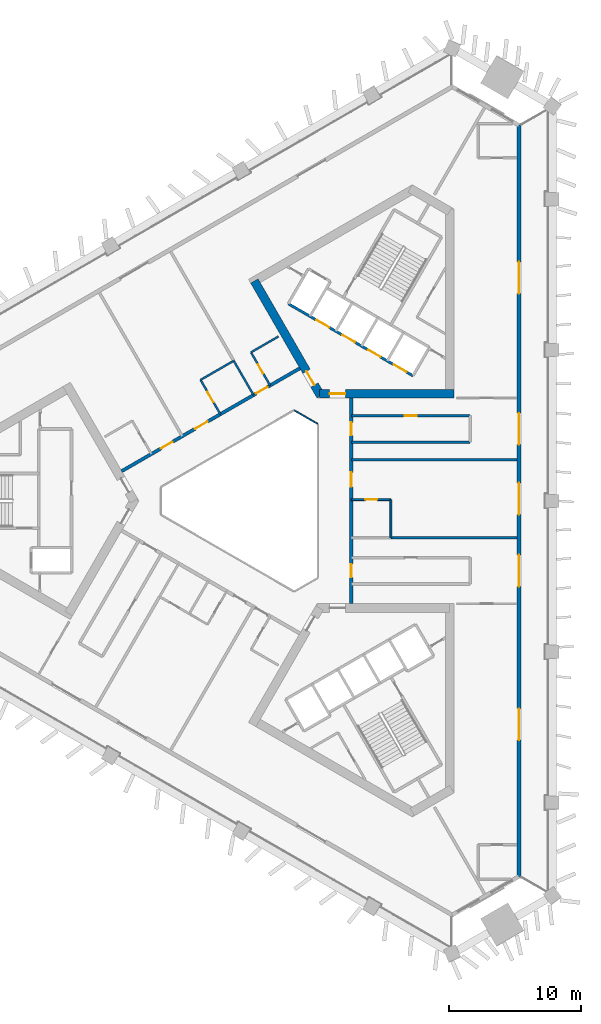
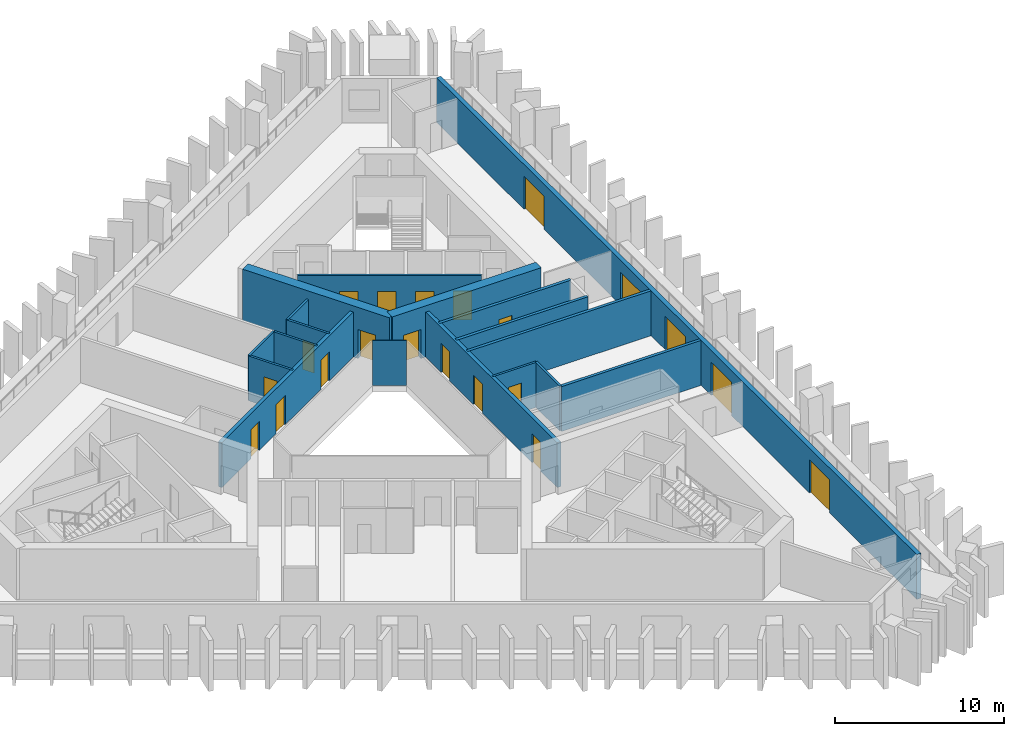
# One storey, part 5 of 11: 21 doors, 18 walls, 21 openings.
"""IFC4 building model written with IfcOpenShell, lengths in metres."""

from ifc_helpers import new_model, si_unit, direction, frame, frame_2d, origin, place, context, subcontext, project, spatial, rectangle, extrude, material, layer, layer_set, type_object, element, fill, save


model = new_model("IFC4")

# Units and contexts
model_context = context("Model", 3, precision=1e-05, world=origin(), true_north=direction((0.0, 1.0)))
body_context = subcontext(model_context, "Body", "Model", "MODEL_VIEW")
ifc_project = project(units=[si_unit("LENGTHUNIT", "METRE"), si_unit("AREAUNIT", "SQUARE_METRE"), si_unit("VOLUMEUNIT", "CUBIC_METRE"), si_unit("PLANEANGLEUNIT", "RADIAN"), si_unit("MASSUNIT", "GRAM", prefix="KILO")], contexts=[model_context])

# Site, building, storey
site_placement = place(None, origin())
site = spatial("IfcSite", under=ifc_project, at=site_placement, CompositionType="ELEMENT")
building_placement = place(site_placement, origin())
building = spatial("IfcBuilding", under=site, at=building_placement, Name="Jabali Bay Hotel Tower and Convention Centre", CompositionType="ELEMENT")
storey_placement = place(building_placement, frame((0.0, 0.0, 114.199951171875)))
storey = spatial("IfcBuildingStorey", under=building, at=storey_placement, Name="L27", CompositionType="ELEMENT", Elevation=114.199951171875)

# Wall
ifc_material_1 = material(Name="Fire-resistant glazing", Category="glass")
ifc_layer_1 = layer(ifc_material_1, 0.10009765625)
ifc_layer_set_1 = layer_set([ifc_layer_1], Name="Fire-resistant glazing")
wall_type_1 = type_object("IfcWallType", Name="Atrium glazed screen 100", PredefinedType="PARTITIONING", material=ifc_layer_set_1)
wall_1_placement = place(storey_placement, frame((79.530029296875, 85.84619140625, 0.0), z_axis=(0.0, 0.0, 1.0), x_axis=(-0.866041268327, 0.499972520799, 0.0)))
element("IfcWall", 1, at=wall_1_placement, inside=storey, type_object=wall_type_1, Name="Atrium screen 2 L27", PredefinedType="PARTITIONING", context=body_context, shape_type="SweptSolid", body=[
    extrude(rectangle(XDim=2.0, YDim=0.10009765625, at=frame_2d((1.0, 0.0))), origin(), (0.0, 0.0, 1.0), 3.25),
])

# Wall, openings, doors
ifc_material_2 = material(Name="Concrete C40", Category="concrete")
ifc_layer_2 = layer(ifc_material_2, 0.199951171875)
ifc_layer_set_2 = layer_set([ifc_layer_2], Name="Concrete C40")
wall_type_2 = type_object("IfcWallType", Name="Core stair wall 200", PredefinedType="SOLIDWALL", material=ifc_layer_set_2)
wall_2_placement = place(storey_placement, frame((86.769775390625, 89.48583984375, 0.0), z_axis=(0.0, 0.0, 1.0), x_axis=(-0.86601811187, 0.500012629753, 0.0)))
wall_2 = element("IfcWall", 2, at=wall_2_placement, inside=storey, type_object=wall_type_2, Name="Core wall 1.10 L27", PredefinedType="SOLIDWALL", context=body_context, shape_type="SweptSolid", body=[
    extrude(rectangle(XDim=10.900146484375, YDim=0.199951171875, at=frame_2d((5.4501953125, 0.0))), origin(), (0.0, 0.0, 1.0), 3.25),
])
opening_1_placement = place(wall_2_placement, frame((0.574951171875, 0.0, 0.0)))
opening_1 = element("IfcOpeningElement", 3, at=opening_1_placement, cuts=wall_2, Name="Opening LD6-L27", PredefinedType="OPENING", context=body_context, shape_type="SweptSolid", body=[
    extrude(rectangle(XDim=1.10009765625, YDim=2.10009765625, at=frame_2d((0.550048828125, 1.050048828125))), frame((0.0, 0.1103515625, 0.0), z_axis=(0.0, -1.0, 0.0), x_axis=(1.0, 0.0, 0.0)), (0.0, 0.0, 1.0), 0.220947265625),
])
opening_2_placement = place(wall_2_placement, frame((2.824951171875, 0.0, 0.0)))
opening_2 = element("IfcOpeningElement", 4, at=opening_2_placement, cuts=wall_2, Name="Opening LD7-L27", PredefinedType="OPENING", context=body_context, shape_type="SweptSolid", body=[
    extrude(rectangle(XDim=1.10009765625, YDim=2.10009765625, at=frame_2d((0.550048828125, 1.050048828125))), frame((0.0, 0.1103515625, 0.0), z_axis=(0.0, -1.0, 0.0), x_axis=(1.0, 0.0, 0.0)), (0.0, 0.0, 1.0), 0.220947265625),
])
opening_3_placement = place(wall_2_placement, frame((5.074951171875, 0.0, 0.0)))
opening_3 = element("IfcOpeningElement", 5, at=opening_3_placement, cuts=wall_2, Name="Opening LD8-L27", PredefinedType="OPENING", context=body_context, shape_type="SweptSolid", body=[
    extrude(rectangle(XDim=1.10009765625, YDim=2.10009765625, at=frame_2d((0.550048828125, 1.050048828125))), frame((0.0, 0.1103515625, 0.0), z_axis=(0.0, -1.0, 0.0), x_axis=(1.0, 0.0, 0.0)), (0.0, 0.0, 1.0), 0.220947265625),
])
opening_4_placement = place(wall_2_placement, frame((7.324951171875, 0.0, 0.0)))
opening_4 = element("IfcOpeningElement", 6, at=opening_4_placement, cuts=wall_2, Name="Opening LD9-L27", PredefinedType="OPENING", context=body_context, shape_type="SweptSolid", body=[
    extrude(rectangle(XDim=1.10009765625, YDim=2.10009765625, at=frame_2d((0.550048828125, 1.050048828125))), frame((0.0, 0.1103515625, 0.0), z_axis=(0.0, -1.0, 0.0), x_axis=(1.0, 0.0, 0.0)), (0.0, 0.0, 1.0), 0.220947265625),
])
ifc_material_3 = material(Name="Stainless steel landing door", Category="steel")
door_type_1 = type_object("IfcDoorType", Name="Landing door 1100 x 2100", OperationType="NOTDEFINED", PredefinedType="NOTDEFINED", material=ifc_material_3)
door_1_placement = place(opening_1_placement, origin())
door_1 = element("IfcDoor", 7, at=door_1_placement, inside=storey, type_object=door_type_1, Name="Landing doors LD6-L27", OperationType="SLIDING_TO_RIGHT", OverallHeight=2.10009765625, OverallWidth=1.10009765625, PredefinedType="NOTDEFINED", context=body_context, shape_type="SweptSolid", body=[
    extrude(rectangle(XDim=1.10009765625, YDim=2.10009765625, at=frame_2d((0.550048828125, 1.050048828125))), frame((0.0, 0.02490234375, 0.0), z_axis=(0.0, -1.0, 0.0), x_axis=(1.0, 0.0, 0.0)), (0.0, 0.0, 1.0), 0.050048828125),
])
fill(opening_1, door_1)
door_2_placement = place(opening_2_placement, origin())
door_2 = element("IfcDoor", 8, at=door_2_placement, inside=storey, type_object=door_type_1, Name="Landing doors LD7-L27", OperationType="SLIDING_TO_LEFT", OverallHeight=2.10009765625, OverallWidth=1.10009765625, PredefinedType="NOTDEFINED", context=body_context, shape_type="SweptSolid", body=[
    extrude(rectangle(XDim=1.10009765625, YDim=2.10009765625, at=frame_2d((0.550048828125, 1.050048828125))), frame((0.0, 0.02490234375, 0.0), z_axis=(0.0, -1.0, 0.0), x_axis=(1.0, 0.0, 0.0)), (0.0, 0.0, 1.0), 0.050048828125),
])
fill(opening_2, door_2)
door_3_placement = place(opening_3_placement, origin())
door_3 = element("IfcDoor", 9, at=door_3_placement, inside=storey, type_object=door_type_1, Name="Landing doors LD8-L27", OperationType="SLIDING_TO_RIGHT", OverallHeight=2.10009765625, OverallWidth=1.10009765625, PredefinedType="NOTDEFINED", context=body_context, shape_type="SweptSolid", body=[
    extrude(rectangle(XDim=1.10009765625, YDim=2.10009765625, at=frame_2d((0.550048828125, 1.050048828125))), frame((0.0, 0.02490234375, 0.0), z_axis=(0.0, -1.0, 0.0), x_axis=(1.0, 0.0, 0.0)), (0.0, 0.0, 1.0), 0.050048828125),
])
fill(opening_3, door_3)
door_4_placement = place(opening_4_placement, origin())
door_4 = element("IfcDoor", 10, at=door_4_placement, inside=storey, type_object=door_type_1, Name="Landing doors LD9-L27", OperationType="SLIDING_TO_LEFT", OverallHeight=2.10009765625, OverallWidth=1.10009765625, PredefinedType="NOTDEFINED", context=body_context, shape_type="SweptSolid", body=[
    extrude(rectangle(XDim=1.10009765625, YDim=2.10009765625, at=frame_2d((0.550048828125, 1.050048828125))), frame((0.0, 0.02490234375, 0.0), z_axis=(0.0, -1.0, 0.0), x_axis=(1.0, 0.0, 0.0)), (0.0, 0.0, 1.0), 0.050048828125),
])
fill(opening_4, door_4)

# Wall, opening, door
ifc_material_4 = material(Name="Concrete C60", Category="concrete")
ifc_layer_3 = layer(ifc_material_4, 0.64990234375)
ifc_layer_set_3 = layer_set([ifc_layer_3], Name="Concrete C60")
wall_type_3 = type_object("IfcWallType", Name="Core wall 650", PredefinedType="SHEAR", material=ifc_layer_set_3)
wall_3_placement = place(storey_placement, frame((79.687744140625, 88.119140625, 0.0), z_axis=(0.0, 0.0, 1.0), x_axis=(1.0, 0.0, 0.0)))
wall_3 = element("IfcWall", 11, at=wall_3_placement, inside=storey, type_object=wall_type_3, Name="Core wall 2.1 L27", PredefinedType="SHEAR", context=body_context, shape_type="SweptSolid", body=[
    extrude(rectangle(XDim=10.192138671875, YDim=0.64990234375, at=frame_2d((5.09619140625, 0.0))), origin(), (0.0, 0.0, 1.0), 3.699951171875),
])
opening_5_placement = place(wall_3_placement, frame((0.762451171875, 0.0, 0.0)))
opening_5 = element("IfcOpeningElement", 12, at=opening_5_placement, cuts=wall_3, Name="Opening D609", PredefinedType="OPENING", context=body_context, shape_type="SweptSolid", body=[
    extrude(rectangle(XDim=1.199951171875, YDim=2.10009765625, at=frame_2d((0.60009765625, 1.050048828125))), frame((0.0, 0.33544921875, 0.0), z_axis=(0.0, -1.0, 0.0), x_axis=(1.0, 0.0, 0.0)), (0.0, 0.0, 1.0), 0.6708984375),
])
ifc_material_5 = material(Name="Fire-rated steel door", Category="steel")
door_type_2 = type_object("IfcDoorType", Name="Corridor end fire door 1200 x 2100", OperationType="NOTDEFINED", PredefinedType="NOTDEFINED", material=ifc_material_5)
door_5_placement = place(opening_5_placement, origin())
door_5 = element("IfcDoor", 13, at=door_5_placement, inside=storey, type_object=door_type_2, Name="Corridor end fire door D609", OperationType="SINGLE_SWING_RIGHT", OverallHeight=2.10009765625, OverallWidth=1.199951171875, PredefinedType="NOTDEFINED", context=body_context, shape_type="SweptSolid", body=[
    extrude(rectangle(XDim=1.199951171875, YDim=2.10009765625, at=frame_2d((0.60009765625, 1.050048828125))), frame((0.0, 0.02490234375, 0.0), z_axis=(0.0, -1.0, 0.0), x_axis=(1.0, 0.0, 0.0)), (0.0, 0.0, 1.0), 0.050048828125),
])
fill(opening_5, door_5)

wall_4_placement = place(storey_placement, frame((74.75390625, 96.66455078125, 0.0), z_axis=(0.0, 0.0, 1.0), x_axis=(0.500011799426, -0.866018591275, 0.0)))
wall_4 = element("IfcWall", 14, at=wall_4_placement, inside=storey, type_object=wall_type_3, Name="Core wall 2.5 L27", PredefinedType="SHEAR", context=body_context, shape_type="SweptSolid", body=[
    extrude(rectangle(XDim=10.054931640625, YDim=0.64990234375, at=frame_2d((5.02734375, 0.0))), origin(), (0.0, 0.0, 1.0), 3.699951171875),
])
opening_6_placement = place(wall_4_placement, frame((7.905029296875, 0.0, 0.0)))
opening_6 = element("IfcOpeningElement", 15, at=opening_6_placement, cuts=wall_4, Name="Opening D610", PredefinedType="OPENING", context=body_context, shape_type="SweptSolid", body=[
    extrude(rectangle(XDim=1.199951171875, YDim=2.10009765625, at=frame_2d((0.60009765625, 1.050048828125))), frame((0.0, 0.33544921875, 0.0), z_axis=(0.0, -1.0, 0.0), x_axis=(1.0, 0.0, 0.0)), (0.0, 0.0, 1.0), 0.6708984375),
])
door_6_placement = place(opening_6_placement, origin())
door_6 = element("IfcDoor", 16, at=door_6_placement, inside=storey, type_object=door_type_2, Name="Corridor end fire door D610", OperationType="SINGLE_SWING_LEFT", OverallHeight=2.10009765625, OverallWidth=1.199951171875, PredefinedType="NOTDEFINED", context=body_context, shape_type="SweptSolid", body=[
    extrude(rectangle(XDim=1.199951171875, YDim=2.10009765625, at=frame_2d((0.60009765625, 1.050048828125))), frame((0.0, 0.02490234375, 0.0), z_axis=(0.0, -1.0, 0.0), x_axis=(1.0, 0.0, 0.0)), (0.0, 0.0, 1.0), 0.050048828125),
])
fill(opening_6, door_6)

# Wall, openings, doors
ifc_layer_4 = layer(ifc_material_4, 0.25)
ifc_layer_set_4 = layer_set([ifc_layer_4], Name="Concrete C60")
wall_type_4 = type_object("IfcWallType", Name="Corridor wall 250", PredefinedType="SHEAR", material=ifc_layer_set_4)
wall_5_placement = place(storey_placement, frame((82.10009765625, 72.205810546875, 0.0), z_axis=(0.0, 0.0, 1.0), x_axis=(0.0, 1.0, 0.0)))
wall_5 = element("IfcWall", 17, at=wall_5_placement, inside=storey, type_object=wall_type_4, Name="Corridor wall 1 L27", PredefinedType="SHEAR", context=body_context, shape_type="SweptSolid", body=[
    extrude(rectangle(XDim=15.58837890625, YDim=0.25, at=frame_2d((7.794189453125, 0.0))), origin(), (0.0, 0.0, 1.0), 3.25),
])
opening_7_placement = place(wall_5_placement, frame((1.994140625, 0.0, 0.0)))
opening_7 = element("IfcOpeningElement", 18, at=opening_7_placement, cuts=wall_5, Name="Opening 2701", PredefinedType="OPENING", context=body_context, shape_type="SweptSolid", body=[
    extrude(rectangle(XDim=1.0, YDim=2.10009765625, at=frame_2d((0.5, 1.050048828125))), frame((0.0, 0.135498046875, 0.0), z_axis=(0.0, -1.0, 0.0), x_axis=(1.0, 0.0, 0.0)), (0.0, 0.0, 1.0), 0.27099609375),
])
opening_8_placement = place(wall_5_placement, frame((8.85009765625, 0.0, 0.0)))
opening_8 = element("IfcOpeningElement", 19, at=opening_8_placement, cuts=wall_5, Name="Opening 2706", PredefinedType="OPENING", context=body_context, shape_type="SweptSolid", body=[
    extrude(rectangle(XDim=1.10009765625, YDim=2.10009765625, at=frame_2d((0.550048828125, 1.050048828125))), frame((0.0, 0.135498046875, 0.0), z_axis=(0.0, -1.0, 0.0), x_axis=(1.0, 0.0, 0.0)), (0.0, 0.0, 1.0), 0.27099609375),
])
opening_9_placement = place(wall_5_placement, frame((12.750244140625, 0.0, 0.0)))
opening_9 = element("IfcOpeningElement", 20, at=opening_9_placement, cuts=wall_5, Name="Opening 2707", PredefinedType="OPENING", context=body_context, shape_type="SweptSolid", body=[
    extrude(rectangle(XDim=1.0, YDim=2.10009765625, at=frame_2d((0.5, 1.050048828125))), frame((0.0, 0.135498046875, 0.0), z_axis=(0.0, -1.0, 0.0), x_axis=(1.0, 0.0, 0.0)), (0.0, 0.0, 1.0), 0.27099609375),
])
ifc_material_6 = material(Name="Timber", Category="wood")
door_type_3 = type_object("IfcDoorType", Name="Accessible guest room door 1100 x 2100", OperationType="NOTDEFINED", PredefinedType="NOTDEFINED", material=ifc_material_6)
door_7_placement = place(opening_8_placement, origin())
door_7 = element("IfcDoor", 21, at=door_7_placement, inside=storey, type_object=door_type_3, Name="Door 2706", OperationType="SINGLE_SWING_RIGHT", OverallHeight=2.10009765625, OverallWidth=1.10009765625, PredefinedType="NOTDEFINED", context=body_context, shape_type="SweptSolid", body=[
    extrude(rectangle(XDim=1.10009765625, YDim=2.10009765625, at=frame_2d((0.550048828125, 1.050048828125))), frame((0.0, 0.02490234375, 0.0), z_axis=(0.0, -1.0, 0.0), x_axis=(1.0, 0.0, 0.0)), (0.0, 0.0, 1.0), 0.050048828125),
])
fill(opening_8, door_7)
door_type_4 = type_object("IfcDoorType", Name="Guest room door 1000 x 2100", OperationType="NOTDEFINED", PredefinedType="NOTDEFINED", material=ifc_material_6)
door_8_placement = place(opening_7_placement, origin())
door_8 = element("IfcDoor", 22, at=door_8_placement, inside=storey, type_object=door_type_4, Name="Door 2701", OperationType="SINGLE_SWING_LEFT", OverallHeight=2.10009765625, OverallWidth=1.0, PredefinedType="NOTDEFINED", context=body_context, shape_type="SweptSolid", body=[
    extrude(rectangle(XDim=1.0, YDim=2.10009765625, at=frame_2d((0.5, 1.050048828125))), frame((0.0, 0.02490234375, 0.0), z_axis=(0.0, -1.0, 0.0), x_axis=(1.0, 0.0, 0.0)), (0.0, 0.0, 1.0), 0.050048828125),
])
fill(opening_7, door_8)
door_9_placement = place(opening_9_placement, origin())
door_9 = element("IfcDoor", 23, at=door_9_placement, inside=storey, type_object=door_type_4, Name="Door 2707", OperationType="SINGLE_SWING_RIGHT", OverallHeight=2.10009765625, OverallWidth=1.0, PredefinedType="NOTDEFINED", context=body_context, shape_type="SweptSolid", body=[
    extrude(rectangle(XDim=1.0, YDim=2.10009765625, at=frame_2d((0.5, 1.050048828125))), frame((0.0, 0.02490234375, 0.0), z_axis=(0.0, -1.0, 0.0), x_axis=(1.0, 0.0, 0.0)), (0.0, 0.0, 1.0), 0.050048828125),
])
fill(opening_9, door_9)

wall_6_placement = place(storey_placement, frame((78.199951171875, 90.0458984375, 0.0), z_axis=(0.0, 0.0, 1.0), x_axis=(-0.866026492143, -0.499998114903, 0.0)))
wall_6 = element("IfcWall", 24, at=wall_6_placement, inside=storey, type_object=wall_type_4, Name="Corridor wall 2 L27", PredefinedType="SHEAR", context=body_context, shape_type="SweptSolid", body=[
    extrude(rectangle(XDim=15.58837890625, YDim=0.25, at=frame_2d((7.794189453125, 0.0))), origin(), (0.0, 0.0, 1.0), 3.25),
])
opening_10_placement = place(wall_6_placement, frame((2.826416015625, 0.0, 0.0)))
opening_10 = element("IfcOpeningElement", 25, at=opening_10_placement, cuts=wall_6, Name="Opening 2712", PredefinedType="OPENING", context=body_context, shape_type="SweptSolid", body=[
    extrude(rectangle(XDim=1.0, YDim=2.10009765625, at=frame_2d((0.5, 1.050048828125))), frame((0.0, 0.135498046875, 0.0), z_axis=(0.0, -1.0, 0.0), x_axis=(1.0, 0.0, 0.0)), (0.0, 0.0, 1.0), 0.27099609375),
])
opening_11_placement = place(wall_6_placement, frame((8.07080078125, 0.0, 0.0)))
opening_11 = element("IfcOpeningElement", 26, at=opening_11_placement, cuts=wall_6, Name="Opening 2714", PredefinedType="OPENING", context=body_context, shape_type="SweptSolid", body=[
    extrude(rectangle(XDim=1.10009765625, YDim=2.10009765625, at=frame_2d((0.550048828125, 1.050048828125))), frame((0.0, 0.135498046875, 0.0), z_axis=(0.0, -1.0, 0.0), x_axis=(1.0, 0.0, 0.0)), (0.0, 0.0, 1.0), 0.27099609375),
])
opening_12_placement = place(wall_6_placement, frame((11.138427734375, 0.0, 0.0)))
opening_12 = element("IfcOpeningElement", 27, at=opening_12_placement, cuts=wall_6, Name="Opening 2716", PredefinedType="OPENING", context=body_context, shape_type="SweptSolid", body=[
    extrude(rectangle(XDim=1.0, YDim=2.10009765625, at=frame_2d((0.5, 1.050048828125))), frame((0.0, 0.135498046875, 0.0), z_axis=(0.0, -1.0, 0.0), x_axis=(1.0, 0.0, 0.0)), (0.0, 0.0, 1.0), 0.27099609375),
])
door_10_placement = place(opening_11_placement, origin())
door_10 = element("IfcDoor", 28, at=door_10_placement, inside=storey, type_object=door_type_3, Name="Door 2714", OperationType="SINGLE_SWING_RIGHT", OverallHeight=2.10009765625, OverallWidth=1.10009765625, PredefinedType="NOTDEFINED", context=body_context, shape_type="SweptSolid", body=[
    extrude(rectangle(XDim=1.10009765625, YDim=2.10009765625, at=frame_2d((0.550048828125, 1.050048828125))), frame((0.0, 0.02490234375, 0.0), z_axis=(0.0, -1.0, 0.0), x_axis=(1.0, 0.0, 0.0)), (0.0, 0.0, 1.0), 0.050048828125),
])
fill(opening_11, door_10)
door_11_placement = place(opening_10_placement, origin())
door_11 = element("IfcDoor", 29, at=door_11_placement, inside=storey, type_object=door_type_4, Name="Door 2712", OperationType="SINGLE_SWING_LEFT", OverallHeight=2.10009765625, OverallWidth=1.0, PredefinedType="NOTDEFINED", context=body_context, shape_type="SweptSolid", body=[
    extrude(rectangle(XDim=1.0, YDim=2.10009765625, at=frame_2d((0.5, 1.050048828125))), frame((0.0, 0.02490234375, 0.0), z_axis=(0.0, -1.0, 0.0), x_axis=(1.0, 0.0, 0.0)), (0.0, 0.0, 1.0), 0.050048828125),
])
fill(opening_10, door_11)
door_12_placement = place(opening_12_placement, origin())
door_12 = element("IfcDoor", 30, at=door_12_placement, inside=storey, type_object=door_type_4, Name="Door 2716", OperationType="SINGLE_SWING_RIGHT", OverallHeight=2.10009765625, OverallWidth=1.0, PredefinedType="NOTDEFINED", context=body_context, shape_type="SweptSolid", body=[
    extrude(rectangle(XDim=1.0, YDim=2.10009765625, at=frame_2d((0.5, 1.050048828125))), frame((0.0, 0.02490234375, 0.0), z_axis=(0.0, -1.0, 0.0), x_axis=(1.0, 0.0, 0.0)), (0.0, 0.0, 1.0), 0.050048828125),
])
fill(opening_12, door_12)

ifc_layer_5 = layer(ifc_material_2, 0.300048828125)
ifc_layer_set_5 = layer_set([ifc_layer_5], Name="Concrete C40")
wall_type_5 = type_object("IfcWallType", Name="External wall 300", PredefinedType="SOLIDWALL", material=ifc_layer_set_5)
wall_7_placement = place(storey_placement, frame((94.800048828125, 108.46875, 0.0), z_axis=(0.0, 0.0, 1.0), x_axis=(0.0, -1.0, 0.0)))
wall_7 = element("IfcWall", 31, at=wall_7_placement, inside=storey, type_object=wall_type_5, Name="External wall east face L27", PredefinedType="SOLIDWALL", context=body_context, shape_type="SweptSolid", body=[
    extrude(rectangle(XDim=56.9375, YDim=0.300048828125, at=frame_2d((28.46875, 0.0))), origin(), (0.0, 0.0, 1.0), 3.25),
])
opening_13_placement = place(wall_7_placement, frame((27.11279296875, 0.0, 0.0)))
opening_13 = element("IfcOpeningElement", 32, at=opening_13_placement, cuts=wall_7, Name="Opening SD1", PredefinedType="OPENING", context=body_context, shape_type="SweptSolid", body=[
    extrude(rectangle(XDim=2.39990234375, YDim=2.39990234375, at=frame_2d((1.199951171875, 1.199951171875))), frame((0.0, 0.16064453125, 0.0), z_axis=(0.0, -1.0, 0.0), x_axis=(1.0, 0.0, 0.0)), (0.0, 0.0, 1.0), 0.321044921875),
])
opening_14_placement = place(wall_7_placement, frame((32.56884765625, 0.0, 0.0)))
opening_14 = element("IfcOpeningElement", 33, at=opening_14_placement, cuts=wall_7, Name="Opening SD1", PredefinedType="OPENING", context=body_context, shape_type="SweptSolid", body=[
    extrude(rectangle(XDim=2.39990234375, YDim=2.39990234375, at=frame_2d((1.199951171875, 1.199951171875))), frame((0.0, 0.16064453125, 0.0), z_axis=(0.0, -1.0, 0.0), x_axis=(1.0, 0.0, 0.0)), (0.0, 0.0, 1.0), 0.321044921875),
])
opening_15_placement = place(wall_7_placement, frame((44.202392578125, 0.0, 0.0)))
opening_15 = element("IfcOpeningElement", 34, at=opening_15_placement, cuts=wall_7, Name="Opening SD1", PredefinedType="OPENING", context=body_context, shape_type="SweptSolid", body=[
    extrude(rectangle(XDim=2.39990234375, YDim=2.39990234375, at=frame_2d((1.199951171875, 1.199951171875))), frame((0.0, 0.16064453125, 0.0), z_axis=(0.0, -1.0, 0.0), x_axis=(1.0, 0.0, 0.0)), (0.0, 0.0, 1.0), 0.321044921875),
])
opening_16_placement = place(wall_7_placement, frame((21.812744140625, 0.0, 0.0)))
opening_16 = element("IfcOpeningElement", 35, at=opening_16_placement, cuts=wall_7, Name="Opening SD1", PredefinedType="OPENING", context=body_context, shape_type="SweptSolid", body=[
    extrude(rectangle(XDim=2.39990234375, YDim=2.39990234375, at=frame_2d((1.199951171875, 1.199951171875))), frame((0.0, 0.16064453125, 0.0), z_axis=(0.0, -1.0, 0.0), x_axis=(1.0, 0.0, 0.0)), (0.0, 0.0, 1.0), 0.321044921875),
])
opening_17_placement = place(wall_7_placement, frame((10.36572265625, 0.0, 0.0)))
opening_17 = element("IfcOpeningElement", 36, at=opening_17_placement, cuts=wall_7, Name="Opening SD1", PredefinedType="OPENING", context=body_context, shape_type="SweptSolid", body=[
    extrude(rectangle(XDim=2.39990234375, YDim=2.39990234375, at=frame_2d((1.199951171875, 1.199951171875))), frame((0.0, 0.16064453125, 0.0), z_axis=(0.0, -1.0, 0.0), x_axis=(1.0, 0.0, 0.0)), (0.0, 0.0, 1.0), 0.321044921875),
])
ifc_material_7 = material(Name="Glass", Category="glass")
door_type_5 = type_object("IfcDoorType", Name="Loggia sliding door 2400 x 2400", OperationType="NOTDEFINED", PredefinedType="NOTDEFINED", material=ifc_material_7)
door_13_placement = place(opening_13_placement, origin())
door_13 = element("IfcDoor", 37, at=door_13_placement, inside=storey, type_object=door_type_5, Name="Loggia sliding door 2703", OperationType="SLIDING_TO_LEFT", OverallHeight=2.39990234375, OverallWidth=2.39990234375, PredefinedType="NOTDEFINED", context=body_context, shape_type="SweptSolid", body=[
    extrude(rectangle(XDim=2.39990234375, YDim=2.39990234375, at=frame_2d((1.199951171875, 1.199951171875))), frame((0.0, 0.02490234375, 0.0), z_axis=(0.0, -1.0, 0.0), x_axis=(1.0, 0.0, 0.0)), (0.0, 0.0, 1.0), 0.050048828125),
])
fill(opening_13, door_13)
door_14_placement = place(opening_14_placement, origin())
door_14 = element("IfcDoor", 38, at=door_14_placement, inside=storey, type_object=door_type_5, Name="Loggia sliding door 2701", OperationType="SLIDING_TO_RIGHT", OverallHeight=2.39990234375, OverallWidth=2.39990234375, PredefinedType="NOTDEFINED", context=body_context, shape_type="SweptSolid", body=[
    extrude(rectangle(XDim=2.39990234375, YDim=2.39990234375, at=frame_2d((1.199951171875, 1.199951171875))), frame((0.0, 0.02490234375, 0.0), z_axis=(0.0, -1.0, 0.0), x_axis=(1.0, 0.0, 0.0)), (0.0, 0.0, 1.0), 0.050048828125),
])
fill(opening_14, door_14)
door_15_placement = place(opening_15_placement, origin())
door_15 = element("IfcDoor", 39, at=door_15_placement, inside=storey, type_object=door_type_5, Name="Loggia sliding door 2701", OperationType="SLIDING_TO_LEFT", OverallHeight=2.39990234375, OverallWidth=2.39990234375, PredefinedType="NOTDEFINED", context=body_context, shape_type="SweptSolid", body=[
    extrude(rectangle(XDim=2.39990234375, YDim=2.39990234375, at=frame_2d((1.199951171875, 1.199951171875))), frame((0.0, 0.02490234375, 0.0), z_axis=(0.0, -1.0, 0.0), x_axis=(1.0, 0.0, 0.0)), (0.0, 0.0, 1.0), 0.050048828125),
])
fill(opening_15, door_15)
door_16_placement = place(opening_16_placement, origin())
door_16 = element("IfcDoor", 40, at=door_16_placement, inside=storey, type_object=door_type_5, Name="Loggia sliding door 2704", OperationType="SLIDING_TO_RIGHT", OverallHeight=2.39990234375, OverallWidth=2.39990234375, PredefinedType="NOTDEFINED", context=body_context, shape_type="SweptSolid", body=[
    extrude(rectangle(XDim=2.39990234375, YDim=2.39990234375, at=frame_2d((1.199951171875, 1.199951171875))), frame((0.0, 0.02490234375, 0.0), z_axis=(0.0, -1.0, 0.0), x_axis=(1.0, 0.0, 0.0)), (0.0, 0.0, 1.0), 0.050048828125),
])
fill(opening_16, door_16)
door_17_placement = place(opening_17_placement, origin())
door_17 = element("IfcDoor", 41, at=door_17_placement, inside=storey, type_object=door_type_5, Name="Loggia sliding door 2704", OperationType="SLIDING_TO_LEFT", OverallHeight=2.39990234375, OverallWidth=2.39990234375, PredefinedType="NOTDEFINED", context=body_context, shape_type="SweptSolid", body=[
    extrude(rectangle(XDim=2.39990234375, YDim=2.39990234375, at=frame_2d((1.199951171875, 1.199951171875))), frame((0.0, 0.02490234375, 0.0), z_axis=(0.0, -1.0, 0.0), x_axis=(1.0, 0.0, 0.0)), (0.0, 0.0, 1.0), 0.050048828125),
])
fill(opening_17, door_17)

# Wall, opening, door
ifc_material_8 = material(Name="Plasterboard on steel stud", Category="steel")
ifc_layer_6 = layer(ifc_material_8, 0.14990234375)
ifc_layer_set_6 = layer_set([ifc_layer_6], Name="Plasterboard on steel stud")
wall_type_6 = type_object("IfcWallType", Name="Partition 150 wet", PredefinedType="PARTITIONING", material=ifc_layer_set_6)
wall_8_placement = place(storey_placement, frame((82.10009765625, 80.093994140625, 0.0), z_axis=(0.0, 0.0, 1.0), x_axis=(1.0, 0.0, 0.0)))
wall_8 = element("IfcWall", 42, at=wall_8_placement, inside=storey, type_object=wall_type_6, Name="Partition P03 L27 011", PredefinedType="PARTITIONING", context=body_context, shape_type="SweptSolid", body=[
    extrude(rectangle(XDim=3.0, YDim=0.14990234375, at=frame_2d((1.5, 0.0))), origin(), (0.0, 0.0, 1.0), 3.25),
])
opening_18_placement = place(wall_8_placement, frame((1.050048828125, 0.0, 0.0)))
opening_18 = element("IfcOpeningElement", 43, at=opening_18_placement, cuts=wall_8, Name="Opening 2705", PredefinedType="OPENING", context=body_context, shape_type="SweptSolid", body=[
    extrude(rectangle(XDim=0.89990234375, YDim=2.10009765625, at=frame_2d((0.449951171875, 1.050048828125))), frame((0.0, 0.08544921875, 0.0), z_axis=(0.0, -1.0, 0.0), x_axis=(1.0, 0.0, 0.0)), (0.0, 0.0, 1.0), 0.1708984375),
])
door_type_6 = type_object("IfcDoorType", Name="Accessible en-suite door 900 x 2100", OperationType="NOTDEFINED", PredefinedType="NOTDEFINED", material=ifc_material_6)
door_18_placement = place(opening_18_placement, origin())
door_18 = element("IfcDoor", 44, at=door_18_placement, inside=storey, type_object=door_type_6, Name="Door 2705", OperationType="SINGLE_SWING_LEFT", OverallHeight=2.10009765625, OverallWidth=0.89990234375, PredefinedType="NOTDEFINED", context=body_context, shape_type="SweptSolid", body=[
    extrude(rectangle(XDim=0.89990234375, YDim=2.10009765625, at=frame_2d((0.449951171875, 1.050048828125))), frame((0.0, 0.02490234375, 0.0), z_axis=(0.0, -1.0, 0.0), x_axis=(1.0, 0.0, 0.0)), (0.0, 0.0, 1.0), 0.050048828125),
])
fill(opening_18, door_18)

# Wall
wall_9_placement = place(storey_placement, frame((85.10009765625, 80.093994140625, 0.0), z_axis=(0.0, 0.0, 1.0), x_axis=(0.0, -1.0, 0.0)))
element("IfcWall", 45, at=wall_9_placement, inside=storey, type_object=wall_type_6, Name="Partition P03 L27 012", PredefinedType="PARTITIONING", context=body_context, shape_type="SweptSolid", body=[
    extrude(rectangle(XDim=2.89990234375, YDim=0.14990234375, at=frame_2d((1.449951171875, 0.0))), origin(), (0.0, 0.0, 1.0), 3.25),
])

# Wall, opening, door
wall_10_placement = place(storey_placement, frame((75.9482421875, 88.745849609375, 0.0), z_axis=(0.0, 0.0, 1.0), x_axis=(-0.499987231761, 0.866032775405, 0.0)))
wall_10 = element("IfcWall", 46, at=wall_10_placement, inside=storey, type_object=wall_type_6, Name="Partition P03 L27 022", PredefinedType="PARTITIONING", context=body_context, shape_type="SweptSolid", body=[
    extrude(rectangle(XDim=2.89990234375, YDim=0.14990234375, at=frame_2d((1.449951171875, 0.0))), origin(), (0.0, 0.0, 1.0), 3.25),
])
opening_19_placement = place(wall_10_placement, frame((1.050048828125, 0.0, 0.0)))
opening_19 = element("IfcOpeningElement", 47, at=opening_19_placement, cuts=wall_10, Name="Opening 2711", PredefinedType="OPENING", context=body_context, shape_type="SweptSolid", body=[
    extrude(rectangle(XDim=0.800048828125, YDim=2.10009765625, at=frame_2d((0.39990234375, 1.050048828125))), frame((0.0, 0.08544921875, 0.0), z_axis=(0.0, -1.0, 0.0), x_axis=(1.0, 0.0, 0.0)), (0.0, 0.0, 1.0), 0.1708984375),
])
door_type_7 = type_object("IfcDoorType", Name="En-suite door 800 x 2100", OperationType="NOTDEFINED", PredefinedType="NOTDEFINED", material=ifc_material_6)
door_19_placement = place(opening_19_placement, origin())
door_19 = element("IfcDoor", 48, at=door_19_placement, inside=storey, type_object=door_type_7, Name="Door 2711", OperationType="SINGLE_SWING_RIGHT", OverallHeight=2.10009765625, OverallWidth=0.800048828125, PredefinedType="NOTDEFINED", context=body_context, shape_type="SweptSolid", body=[
    extrude(rectangle(XDim=0.800048828125, YDim=2.10009765625, at=frame_2d((0.39990234375, 1.050048828125))), frame((0.0, 0.02490234375, 0.0), z_axis=(0.0, -1.0, 0.0), x_axis=(1.0, 0.0, 0.0)), (0.0, 0.0, 1.0), 0.050048828125),
])
fill(opening_19, door_19)

# Walls
wall_11_placement = place(storey_placement, frame((74.498291015625, 91.25732421875, 0.0), z_axis=(0.0, 0.0, 1.0), x_axis=(0.866038271014, 0.499977712642, 0.0)))
element("IfcWall", 49, at=wall_11_placement, inside=storey, type_object=wall_type_6, Name="Partition P03 L27 023", PredefinedType="PARTITIONING", context=body_context, shape_type="SweptSolid", body=[
    extrude(rectangle(XDim=2.40087890625, YDim=0.14990234375, at=frame_2d((1.200439453125, 0.0))), origin(), (0.0, 0.0, 1.0), 3.25),
])
wall_12_placement = place(storey_placement, frame((73.18994140625, 90.617431640625, 0.0), z_axis=(0.0, 0.0, 1.0), x_axis=(0.499990139034, -0.866031096941, 0.0)))
element("IfcWall", 50, at=wall_12_placement, inside=storey, type_object=wall_type_6, Name="Partition P03 L27 025", PredefinedType="PARTITIONING", context=body_context, shape_type="SweptSolid", body=[
    extrude(rectangle(XDim=3.0, YDim=0.14990234375, at=frame_2d((1.5, 0.0))), origin(), (0.0, 0.0, 1.0), 3.25),
])

# Wall, opening, door
wall_13_placement = place(storey_placement, frame((72.178466796875, 86.5693359375, 0.0), z_axis=(0.0, 0.0, 1.0), x_axis=(-0.499990139034, 0.866031096941, 0.0)))
wall_13 = element("IfcWall", 51, at=wall_13_placement, inside=storey, type_object=wall_type_6, Name="Partition P03 L27 026", PredefinedType="PARTITIONING", context=body_context, shape_type="SweptSolid", body=[
    extrude(rectangle(XDim=3.0, YDim=0.14990234375, at=frame_2d((1.5, 0.0))), origin(), (0.0, 0.0, 1.0), 3.25),
])
opening_20_placement = place(wall_13_placement, frame((1.050048828125, 0.0, 0.0)))
opening_20 = element("IfcOpeningElement", 52, at=opening_20_placement, cuts=wall_13, Name="Opening 2713", PredefinedType="OPENING", context=body_context, shape_type="SweptSolid", body=[
    extrude(rectangle(XDim=0.89990234375, YDim=2.10009765625, at=frame_2d((0.449951171875, 1.050048828125))), frame((0.0, 0.08544921875, 0.0), z_axis=(0.0, -1.0, 0.0), x_axis=(1.0, 0.0, 0.0)), (0.0, 0.0, 1.0), 0.1708984375),
])
door_20_placement = place(opening_20_placement, origin())
door_20 = element("IfcDoor", 53, at=door_20_placement, inside=storey, type_object=door_type_6, Name="Door 2713", OperationType="SINGLE_SWING_LEFT", OverallHeight=2.10009765625, OverallWidth=0.89990234375, PredefinedType="NOTDEFINED", context=body_context, shape_type="SweptSolid", body=[
    extrude(rectangle(XDim=0.89990234375, YDim=2.10009765625, at=frame_2d((0.449951171875, 1.050048828125))), frame((0.0, 0.02490234375, 0.0), z_axis=(0.0, -1.0, 0.0), x_axis=(1.0, 0.0, 0.0)), (0.0, 0.0, 1.0), 0.050048828125),
])
fill(opening_20, door_20)

# Walls
wall_14_placement = place(storey_placement, frame((70.678466796875, 89.16748046875, 0.0), z_axis=(0.0, 0.0, 1.0), x_axis=(0.866032775405, 0.499987231761, 0.0)))
element("IfcWall", 54, at=wall_14_placement, inside=storey, type_object=wall_type_6, Name="Partition P03 L27 027", PredefinedType="PARTITIONING", context=body_context, shape_type="SweptSolid", body=[
    extrude(rectangle(XDim=2.89990234375, YDim=0.14990234375, at=frame_2d((1.449951171875, 0.0))), origin(), (0.0, 0.0, 1.0), 3.25),
])
ifc_layer_7 = layer(ifc_material_8, 0.199951171875)
ifc_layer_set_7 = layer_set([ifc_layer_7], Name="Plasterboard on steel stud")
wall_type_7 = type_object("IfcWallType", Name="Partition 200 party", PredefinedType="PARTITIONING", material=ifc_layer_set_7)
wall_15_placement = place(storey_placement, frame((94.651123046875, 77.194091796875, 0.0), z_axis=(0.0, 0.0, 1.0), x_axis=(-1.0, 0.0, 0.0)))
element("IfcWall", 55, at=wall_15_placement, inside=storey, type_object=wall_type_7, Name="Partition P01 L27 005", PredefinedType="PARTITIONING", context=body_context, shape_type="SweptSolid", body=[
    extrude(rectangle(XDim=9.551025390625, YDim=0.199951171875, at=frame_2d((4.775390625, 0.0))), origin(), (0.0, 0.0, 1.0), 3.25),
])
wall_16_placement = place(storey_placement, frame((94.651123046875, 83.11767578125, 0.0), z_axis=(0.0, 0.0, 1.0), x_axis=(-1.0, 0.0, 0.0)))
element("IfcWall", 56, at=wall_16_placement, inside=storey, type_object=wall_type_7, Name="Partition P01 L27 013", PredefinedType="PARTITIONING", context=body_context, shape_type="SweptSolid", body=[
    extrude(rectangle(XDim=12.551025390625, YDim=0.199951171875, at=frame_2d((6.275390625, 0.0))), origin(), (0.0, 0.0, 1.0), 3.25),
])

# Wall, opening, door
wall_17_placement = place(storey_placement, frame((82.10009765625, 86.4560546875, 0.0), z_axis=(0.0, 0.0, 1.0), x_axis=(1.0, 0.0, 0.0)))
wall_17 = element("IfcWall", 57, at=wall_17_placement, inside=storey, type_object=wall_type_7, Name="Partition P01 L27 015", PredefinedType="PARTITIONING", context=body_context, shape_type="SweptSolid", body=[
    extrude(rectangle(XDim=9.0, YDim=0.199951171875, at=frame_2d((4.5, 0.0))), origin(), (0.0, 0.0, 1.0), 3.25),
])
opening_21_placement = place(wall_17_placement, frame((4.050048828125, 0.0, 0.0)))
opening_21 = element("IfcOpeningElement", 58, at=opening_21_placement, cuts=wall_17, Name="Opening 2710", PredefinedType="OPENING", context=body_context, shape_type="SweptSolid", body=[
    extrude(rectangle(XDim=0.89990234375, YDim=2.10009765625, at=frame_2d((0.449951171875, 1.050048828125))), frame((0.0, 0.1103515625, 0.0), z_axis=(0.0, -1.0, 0.0), x_axis=(1.0, 0.0, 0.0)), (0.0, 0.0, 1.0), 0.220947265625),
])
door_type_8 = type_object("IfcDoorType", Name="Internal door 900 x 2100", OperationType="NOTDEFINED", PredefinedType="NOTDEFINED", material=ifc_material_6)
door_21_placement = place(opening_21_placement, origin())
door_21 = element("IfcDoor", 59, at=door_21_placement, inside=storey, type_object=door_type_8, Name="Door 2710", OperationType="SINGLE_SWING_RIGHT", OverallHeight=2.10009765625, OverallWidth=0.89990234375, PredefinedType="NOTDEFINED", context=body_context, shape_type="SweptSolid", body=[
    extrude(rectangle(XDim=0.89990234375, YDim=2.10009765625, at=frame_2d((0.449951171875, 1.050048828125))), frame((0.0, 0.02490234375, 0.0), z_axis=(0.0, -1.0, 0.0), x_axis=(1.0, 0.0, 0.0)), (0.0, 0.0, 1.0), 0.050048828125),
])
fill(opening_21, door_21)

# Wall
wall_18_placement = place(storey_placement, frame((91.10009765625, 84.4560546875, 0.0), z_axis=(0.0, 0.0, 1.0), x_axis=(-1.0, 0.0, 0.0)))
element("IfcWall", 60, at=wall_18_placement, inside=storey, type_object=wall_type_7, Name="Partition P01 L27 017", PredefinedType="PARTITIONING", context=body_context, shape_type="SweptSolid", body=[
    extrude(rectangle(XDim=9.0, YDim=0.199951171875, at=frame_2d((4.5, 0.0))), origin(), (0.0, 0.0, 1.0), 3.25),
])

save(model, "model.ifc")
